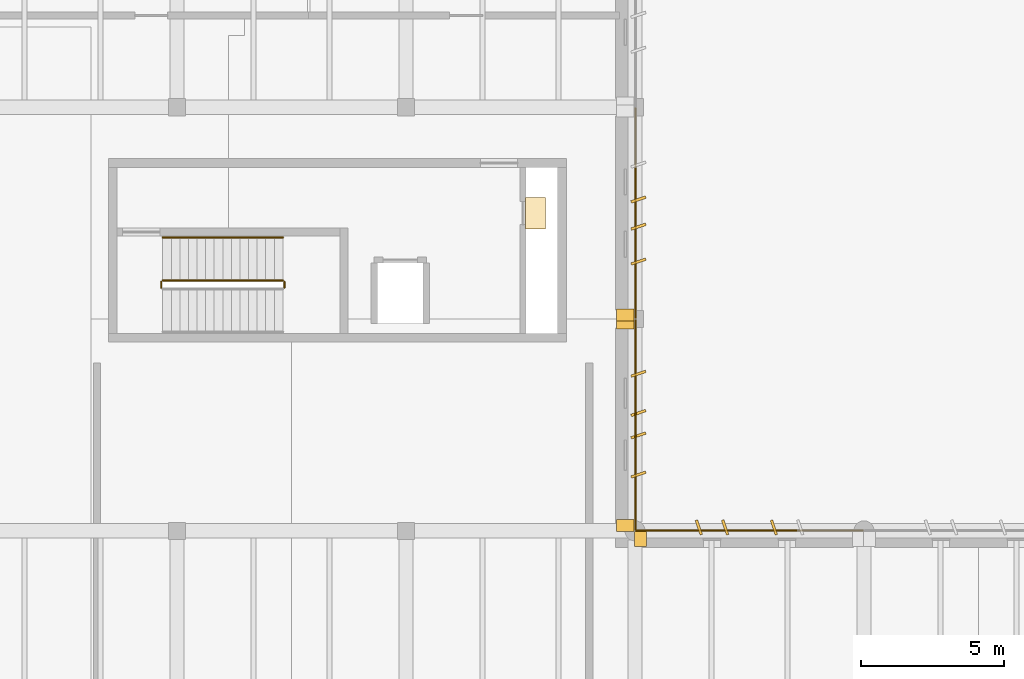
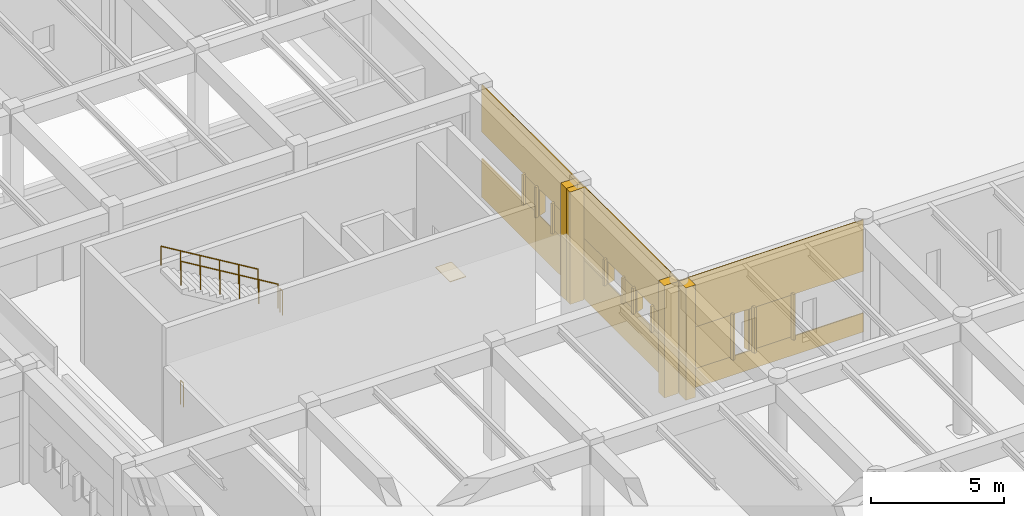
# One storey, part 44 of 56: 28 coverings, 4 railings.
"""IFC4 building model written with IfcOpenShell, lengths in metres."""

from ifc_helpers import new_model, si_unit, direction, frame, frame_2d, origin, origin_2d, place, context, subcontext, project, spatial, polyline, rectangle, circle, outline, extrude, material, layer, layer_set, type_object, element, save


model = new_model("IFC4")

# Units and contexts
model_context = context("Model", 3, precision=1e-05, world=origin(), true_north=direction((0.0, 1.0)))
body_context = subcontext(model_context, "Body", "Model", "MODEL_VIEW")
ifc_project = project(units=[si_unit("LENGTHUNIT", "METRE"), si_unit("AREAUNIT", "SQUARE_METRE"), si_unit("VOLUMEUNIT", "CUBIC_METRE"), si_unit("PLANEANGLEUNIT", "RADIAN"), si_unit("MASSUNIT", "GRAM", prefix="KILO")], contexts=[model_context])

# Site, building, storey
site_placement = place(None, origin())
site = spatial("IfcSite", under=ifc_project, at=site_placement, CompositionType="ELEMENT")
building_placement = place(site_placement, origin())
building = spatial("IfcBuilding", under=site, at=building_placement, Name="Valkorina Park Police Headquarters", CompositionType="ELEMENT")
storey_placement = place(building_placement, origin())
storey = spatial("IfcBuildingStorey", under=building, at=storey_placement, Name="L01", CompositionType="ELEMENT", Elevation=0.0)

# Coverings
ifc_material_1 = material(Name="Precast concrete C40/50", Category="concrete")
ifc_layer_1 = layer(ifc_material_1, 0.044921875)
ifc_layer_set_1 = layer_set([ifc_layer_1], Name="Precast concrete C40/50")
covering_type_1 = type_object("IfcCoveringType", Name="COV-CLAD-DOLOMITE", PredefinedType="CLADDING", material=ifc_layer_set_1)
covering_1_placement = place(storey_placement, frame((56.4599609375, 88.93994140625, 0.0), z_axis=(0.0, 0.0, 1.0), x_axis=(0.0, 1.0, 0.0)))
element("IfcCovering", 1, at=covering_1_placement, inside=storey, type_object=covering_type_1, Name="L01 Exterior Joint Closure Pilaster B 0300", PredefinedType="CLADDING", context=body_context, shape_type="SweptSolid", body=[
    extrude(rectangle(XDim=0.419921875, YDim=0.612060546875, at=origin_2d()), origin(), (0.0, 0.0, 1.0), 5.139892578125),
])
for number, where, z_axis, x_axis, name in (
    (2, (56.919921875, 92.974853515625, 1.68017578125), (0.0, 0.0, 1.0), (0.948323655206, 0.317304656405, 0.0), "Slanted 18.5-deg Precast Window Slot Fin 0302"),
    (3, (56.919921875, 92.025146484375, 1.68017578125), (0.0, 0.0, 1.0), (0.948323655206, 0.317304656405, 0.0), "Slanted 18.5-deg Precast Window Slot Fin 0303"),
    (4, (56.919921875, 90.80517578125, 1.68017578125), (0.0, 0.0, 1.0), (0.948323655206, 0.317304656405, 0.0), "Slanted 18.5-deg Precast Window Slot Fin 0304"),
):
    element("IfcCovering", number, at=place(storey_placement, frame(where, z_axis=z_axis, x_axis=x_axis)), inside=storey, type_object=covering_type_1, Name=name, PredefinedType="CLADDING", context=body_context, shape_type="SweptSolid", body=[
        extrude(rectangle(XDim=0.5400390625, YDim=0.090087890625, at=origin_2d()), origin(), (0.0, 0.0, 1.0), 1.389892578125),
    ])
covering_2_placement = place(storey_placement, frame((56.81494140625, 96.179931640625, 0.0), z_axis=(0.0, 0.0, 1.0), x_axis=(0.0, -1.0, 0.0)))
element("IfcCovering", 5, at=covering_2_placement, inside=storey, type_object=covering_type_1, Name="L01 Calm Concrete Base Sill Spandrel 0305", PredefinedType="CLADDING", context=body_context, shape_type="SweptSolid", body=[
    extrude(rectangle(XDim=7.35986328125, YDim=0.044921875, at=frame_2d((3.679931640625, 0.0))), origin(), (0.0, 0.0, 1.0), 1.77001953125),
])
covering_3_placement = place(storey_placement, frame((56.81494140625, 96.179931640625, 2.97998046875), z_axis=(0.0, 0.0, 1.0), x_axis=(0.0, -1.0, 0.0)))
element("IfcCovering", 6, at=covering_3_placement, inside=storey, type_object=covering_type_1, Name="L01 Calm Concrete Base Lintel Spandrel 0306", PredefinedType="CLADDING", context=body_context, shape_type="SweptSolid", body=[
    extrude(rectangle(XDim=7.35986328125, YDim=0.044921875, at=frame_2d((3.679931640625, 0.0))), origin(), (0.0, 0.0, 1.0), 2.159912109375),
])
covering_4_placement = place(storey_placement, frame((56.81494140625, 93.084716796875, 1.77001953125), z_axis=(0.0, 0.0, 1.0), x_axis=(0.0, -1.0, 0.0)))
element("IfcCovering", 7, at=covering_4_placement, inside=storey, type_object=covering_type_1, Name="L01 Calm Concrete Base Slot Pier 0308", PredefinedType="CLADDING", context=body_context, shape_type="SweptSolid", body=[
    extrude(rectangle(XDim=1.16943359375, YDim=0.044921875, at=frame_2d((0.584716796875, 0.0))), origin(), (0.0, 0.0, 1.0), 1.2099609375),
])
covering_5_placement = place(storey_placement, frame((56.81494140625, 90.915283203125, 1.77001953125), z_axis=(0.0, 0.0, 1.0), x_axis=(0.0, -1.0, 0.0)))
element("IfcCovering", 8, at=covering_5_placement, inside=storey, type_object=covering_type_1, Name="L01 Calm Concrete Base Slot Pier 0309", PredefinedType="CLADDING", context=body_context, shape_type="SweptSolid", body=[
    extrude(rectangle(XDim=2.09521484375, YDim=0.044921875, at=frame_2d((1.047607421875, 0.0))), origin(), (0.0, 0.0, 1.0), 1.2099609375),
])
for number, where, z_axis, x_axis, name in (
    (9, (56.4599609375, 88.659912109375, 0.0), (0.0, 0.0, 1.0), (0.0, 1.0, 0.0), "L01 Exterior Joint Closure Pilaster A 0310"),
    (10, (56.4599609375, 81.590087890625, 0.0), (0.0, 0.0, 1.0), (0.0, 1.0, 0.0), "L01 Exterior Joint Closure Pilaster B 0311"),
):
    element("IfcCovering", number, at=place(storey_placement, frame(where, z_axis=z_axis, x_axis=x_axis)), inside=storey, type_object=covering_type_1, Name=name, PredefinedType="CLADDING", context=body_context, shape_type="SweptSolid", body=[
        extrude(rectangle(XDim=0.419921875, YDim=0.612060546875, at=origin_2d()), origin(), (0.0, 0.0, 1.0), 5.139892578125),
    ])
for number, where, z_axis, x_axis, name in (
    (11, (56.919921875, 86.88671875, 1.679931640625), (0.0, 0.0, 1.0), (0.948323655206, 0.317304656405, 0.0), "Slanted 18.5-deg Precast Window Slot Fin 0312"),
    (12, (56.919921875, 85.516845703125, 1.679931640625), (0.0, 0.0, 1.0), (0.948323655206, 0.317304656405, 0.0), "Slanted 18.5-deg Precast Window Slot Fin 0313"),
    (13, (56.919921875, 84.733154296875, 1.679931640625), (0.0, 0.0, 1.0), (0.948323655206, 0.317304656405, 0.0), "Slanted 18.5-deg Precast Window Slot Fin 0314"),
    (14, (56.919921875, 83.36328125, 1.679931640625), (0.0, 0.0, 1.0), (0.948323655206, 0.317304656405, 0.0), "Slanted 18.5-deg Precast Window Slot Fin 0315"),
):
    element("IfcCovering", number, at=place(storey_placement, frame(where, z_axis=z_axis, x_axis=x_axis)), inside=storey, type_object=covering_type_1, Name=name, PredefinedType="CLADDING", context=body_context, shape_type="SweptSolid", body=[
        extrude(rectangle(XDim=0.5400390625, YDim=0.090087890625, at=origin_2d()), origin(), (0.0, 0.0, 1.0), 1.18994140625),
    ])
covering_6_placement = place(storey_placement, frame((56.81494140625, 88.780029296875, 0.0), z_axis=(0.0, 0.0, 1.0), x_axis=(0.0, -1.0, 0.0)))
element("IfcCovering", 15, at=covering_6_placement, inside=storey, type_object=covering_type_1, Name="L01 Calm Concrete Base Sill Spandrel 0316", PredefinedType="CLADDING", context=body_context, shape_type="SweptSolid", body=[
    extrude(rectangle(XDim=7.360107421875, YDim=0.044921875, at=frame_2d((3.68017578125, 0.0))), origin(), (0.0, 0.0, 1.0), 1.77001953125),
])
covering_7_placement = place(storey_placement, frame((56.81494140625, 88.780029296875, 2.780029296875), z_axis=(0.0, 0.0, 1.0), x_axis=(0.0, -1.0, 0.0)))
element("IfcCovering", 16, at=covering_7_placement, inside=storey, type_object=covering_type_1, Name="L01 Calm Concrete Base Lintel Spandrel 0317", PredefinedType="CLADDING", context=body_context, shape_type="SweptSolid", body=[
    extrude(rectangle(XDim=7.360107421875, YDim=0.044921875, at=frame_2d((3.68017578125, 0.0))), origin(), (0.0, 0.0, 1.0), 2.35986328125),
])
covering_8_placement = place(storey_placement, frame((56.81494140625, 88.780029296875, 1.77001953125), z_axis=(0.0, 0.0, 1.0), x_axis=(0.0, -1.0, 0.0)))
element("IfcCovering", 17, at=covering_8_placement, inside=storey, type_object=covering_type_1, Name="L01 Calm Concrete Base Slot Pier 0318", PredefinedType="CLADDING", context=body_context, shape_type="SweptSolid", body=[
    extrude(rectangle(XDim=2.003173828125, YDim=0.044921875, at=frame_2d((1.00146484375, 0.0))), origin(), (0.0, 0.0, 1.0), 1.010009765625),
])
covering_9_placement = place(storey_placement, frame((56.81494140625, 85.626708984375, 1.77001953125), z_axis=(0.0, 0.0, 1.0), x_axis=(0.0, -1.0, 0.0)))
element("IfcCovering", 18, at=covering_9_placement, inside=storey, type_object=covering_type_1, Name="L01 Calm Concrete Base Slot Pier 0319", PredefinedType="CLADDING", context=body_context, shape_type="SweptSolid", body=[
    extrude(rectangle(XDim=1.00341796875, YDim=0.044921875, at=frame_2d((0.501708984375, 0.0))), origin(), (0.0, 0.0, 1.0), 1.010009765625),
])
covering_10_placement = place(storey_placement, frame((56.81494140625, 83.47314453125, 1.77001953125), z_axis=(0.0, 0.0, 1.0), x_axis=(0.0, -1.0, 0.0)))
element("IfcCovering", 19, at=covering_10_placement, inside=storey, type_object=covering_type_1, Name="L01 Calm Concrete Base Slot Pier 0320", PredefinedType="CLADDING", context=body_context, shape_type="SweptSolid", body=[
    extrude(rectangle(XDim=2.05322265625, YDim=0.044921875, at=frame_2d((1.026611328125, 0.0))), origin(), (0.0, 0.0, 1.0), 1.010009765625),
])
covering_11_placement = place(storey_placement, frame((56.989990234375, 81.110107421875, 0.0), z_axis=(0.0, 0.0, 1.0), x_axis=(1.0, 0.0, 0.0)))
element("IfcCovering", 20, at=covering_11_placement, inside=storey, type_object=covering_type_1, Name="L01 Exterior Joint Closure Pilaster A 0321", PredefinedType="CLADDING", context=body_context, shape_type="SweptSolid", body=[
    extrude(rectangle(XDim=0.419921875, YDim=0.52197265625, at=origin_2d()), origin(), (0.0, 0.0, 1.0), 5.139892578125),
])
for number, where, z_axis, x_axis, name in (
    (21, (59.029541015625, 81.52001953125, 0.77978515625), (0.0, 0.0, 1.0), (-0.317304656405, 0.948323655206, 0.0), "Slanted 18.5-deg Precast Window Slot Fin 0323"),
    (22, (59.94970703125, 81.52001953125, 0.77978515625), (0.0, 0.0, 1.0), (-0.317304656405, 0.948323655206, 0.0), "Slanted 18.5-deg Precast Window Slot Fin 0324"),
    (23, (61.650390625, 81.52001953125, 0.77978515625), (0.0, 0.0, 1.0), (-0.317304656405, 0.948323655206, 0.0), "Slanted 18.5-deg Precast Window Slot Fin 0325"),
):
    element("IfcCovering", number, at=place(storey_placement, frame(where, z_axis=z_axis, x_axis=x_axis)), inside=storey, type_object=covering_type_1, Name=name, PredefinedType="CLADDING", context=body_context, shape_type="SweptSolid", body=[
        extrude(rectangle(XDim=0.5400390625, YDim=0.090087890625, at=origin_2d()), origin(), (0.0, 0.0, 1.0), 2.090087890625),
    ])
covering_12_placement = place(storey_placement, frame((56.820068359375, 81.4150390625, 0.0), z_axis=(0.0, 0.0, 1.0), x_axis=(1.0, 0.0, 0.0)))
element("IfcCovering", 24, at=covering_12_placement, inside=storey, type_object=covering_type_1, Name="L01 Calm Concrete Base Sill Spandrel 0327", PredefinedType="CLADDING", context=body_context, shape_type="SweptSolid", body=[
    extrude(rectangle(XDim=7.9599609375, YDim=0.044921875, at=frame_2d((3.97998046875, 0.0))), origin(), (0.0, 0.0, 1.0), 0.8701171875),
])
covering_13_placement = place(storey_placement, frame((56.820068359375, 81.4150390625, 2.780029296875), z_axis=(0.0, 0.0, 1.0), x_axis=(1.0, 0.0, 0.0)))
element("IfcCovering", 25, at=covering_13_placement, inside=storey, type_object=covering_type_1, Name="L01 Calm Concrete Base Lintel Spandrel 0328", PredefinedType="CLADDING", context=body_context, shape_type="SweptSolid", body=[
    extrude(rectangle(XDim=7.9599609375, YDim=0.044921875, at=frame_2d((3.97998046875, 0.0))), origin(), (0.0, 0.0, 1.0), 2.35986328125),
])
covering_14_placement = place(storey_placement, frame((56.820068359375, 81.4150390625, 0.8701171875), z_axis=(0.0, 0.0, 1.0), x_axis=(1.0, 0.0, 0.0)))
element("IfcCovering", 26, at=covering_14_placement, inside=storey, type_object=covering_type_1, Name="L01 Calm Concrete Base Slot Pier 0329", PredefinedType="CLADDING", context=body_context, shape_type="SweptSolid", body=[
    extrude(rectangle(XDim=2.319580078125, YDim=0.044921875, at=frame_2d((1.15966796875, 0.0))), origin(), (0.0, 0.0, 1.0), 1.909912109375),
])
covering_15_placement = place(storey_placement, frame((59.839599609375, 81.4150390625, 0.8701171875), z_axis=(0.0, 0.0, 1.0), x_axis=(1.0, 0.0, 0.0)))
element("IfcCovering", 27, at=covering_15_placement, inside=storey, type_object=covering_type_1, Name="L01 Calm Concrete Base Slot Pier 0330", PredefinedType="CLADDING", context=body_context, shape_type="SweptSolid", body=[
    extrude(rectangle(XDim=1.9208984375, YDim=0.044921875, at=frame_2d((0.96044921875, 0.0))), origin(), (0.0, 0.0, 1.0), 1.909912109375),
])
ifc_material_2 = material(Name="Resin terrazzo flooring")
ifc_layer_2 = layer(ifc_material_2, 0.030029296875)
ifc_layer_set_2 = layer_set([ifc_layer_2], Name="Resin terrazzo flooring")
covering_type_2 = type_object("IfcCoveringType", Name="COV-FLOOR-TERRAZZO", PredefinedType="FLOORING", material=ifc_layer_set_2)
covering_16_placement = place(storey_placement, origin())
element("IfcCovering", 28, at=covering_16_placement, inside=storey, type_object=covering_type_2, Name="Core C4 L01 Riser Inspection Threshold Grate", PredefinedType="FLOORING", context=body_context, shape_type="SweptSolid", body=[
    extrude(outline(polyline([(53.679931640625, 91.949951171875), (53.679931640625, 93.050048828125), (52.97998046875, 93.050048828125), (52.97998046875, 91.949951171875), (53.679931640625, 91.949951171875)])), origin(), (0.0, 0.0, 1.0), 0.030029296875),
])

# Railings
ifc_material_3 = material(Name="Stainless steel EN 1.4404", Category="steel")
railing_type_1 = type_object("IfcRailingType", Name="RL-GUARD-INT-1100", PredefinedType="BALUSTRADE", material=ifc_material_3)
railing_1_placement = place(storey_placement, frame((44.550048828125, 89.89990234375, 2.699951171875)))
element("IfcRailing", 29, at=railing_1_placement, inside=storey, type_object=railing_type_1, Name="L01 Core C4 Stair Guard 2", PredefinedType="BALUSTRADE", context=body_context, shape_type="SweptSolid", body=[
    extrude(circle(Radius=0.02392578125, at=origin_2d()), frame((0.0, 0.0, 1.09619140625), z_axis=(0.0, 1.0, 0.0), x_axis=(-1.0, 0.0, 0.0)), (0.0, 0.0, 1.0), 0.2001953125),
    extrude(circle(Radius=0.02099609375, at=origin_2d()), origin(), (0.0, 0.0, 1.0), 1.072021484375),
    extrude(circle(Radius=0.02099609375, at=origin_2d()), frame((0.0, 0.2001953125, 0.0)), (0.0, 0.0, 1.0), 1.072021484375),
])
railing_2_placement = place(storey_placement, frame((44.5, 90.14990234375, 2.8798828125)))
element("IfcRailing", 30, at=railing_2_placement, inside=storey, type_object=railing_type_1, Name="L01 Core C4 Stair Guard 3", PredefinedType="BALUSTRADE", context=body_context, shape_type="SweptSolid", body=[
    extrude(circle(Radius=0.02392578125, at=origin_2d()), frame((0.0, 0.0, 1.09619140625), z_axis=(-0.857488527567, 0.0, 0.514503085598), x_axis=(0.0, -1.0, 0.0)), (0.0, 0.0, 1.0), 4.89794921875),
    extrude(circle(Radius=0.02099609375, at=origin_2d()), origin(), (0.0, 0.0, 1.0), 1.072021484375),
    extrude(circle(Radius=0.02099609375, at=origin_2d()), frame((-0.840087890625, 0.0, 0.50390625)), (0.0, 0.0, 1.0), 1.072021484375),
    extrude(circle(Radius=0.02099609375, at=origin_2d()), frame((-1.679931640625, 0.0, 1.008056640625)), (0.0, 0.0, 1.0), 1.072021484375),
    extrude(circle(Radius=0.02099609375, at=origin_2d()), frame((-2.52001953125, 0.0, 1.511962890625)), (0.0, 0.0, 1.0), 1.072021484375),
    extrude(circle(Radius=0.02099609375, at=origin_2d()), frame((-3.35986328125, 0.0, 2.01611328125)), (0.0, 0.0, 1.0), 1.072021484375),
    extrude(circle(Radius=0.02099609375, at=origin_2d()), frame((-4.199951171875, 0.0, 2.52001953125)), (0.0, 0.0, 1.0), 1.072021484375),
])
railing_3_placement = place(storey_placement, frame((40.25, 89.89990234375, 0.0)))
element("IfcRailing", 31, at=railing_3_placement, inside=storey, type_object=railing_type_1, Name="L01 Core C4 Stair Guard 4", PredefinedType="BALUSTRADE", context=body_context, shape_type="SweptSolid", body=[
    extrude(circle(Radius=0.02392578125, at=origin_2d()), frame((0.0, 0.0, 1.09619140625), z_axis=(0.0, 1.0, 0.0), x_axis=(-1.0, 0.0, 0.0)), (0.0, 0.0, 1.0), 0.2001953125),
    extrude(circle(Radius=0.02099609375, at=origin_2d()), origin(), (0.0, 0.0, 1.0), 1.072021484375),
    extrude(circle(Radius=0.02099609375, at=origin_2d()), frame((0.0, 0.2001953125, 0.0)), (0.0, 0.0, 1.0), 1.072021484375),
])
railing_type_2 = type_object("IfcRailingType", Name="RL-HANDRAIL-900", PredefinedType="HANDRAIL", material=ifc_material_3)
railing_4_placement = place(storey_placement, frame((44.5, 91.64990234375, 2.8798828125)))
element("IfcRailing", 32, at=railing_4_placement, inside=storey, type_object=railing_type_2, Name="L01 Core C4 Stair Handrail 2", PredefinedType="HANDRAIL", context=body_context, shape_type="SweptSolid", body=[
    extrude(circle(Radius=0.02392578125, at=origin_2d()), frame((0.0, 0.0, 0.8759765625), z_axis=(-0.857488527567, 0.0, 0.514503085598), x_axis=(0.0, -1.0, 0.0)), (0.0, 0.0, 1.0), 4.89794921875),
    extrude(circle(Radius=0.02099609375, at=origin_2d()), origin(), (0.0, 0.0, 1.0), 0.851806640625),
    extrude(circle(Radius=0.02099609375, at=origin_2d()), frame((-0.840087890625, 0.0, 0.50390625)), (0.0, 0.0, 1.0), 0.851806640625),
    extrude(circle(Radius=0.02099609375, at=origin_2d()), frame((-1.679931640625, 0.0, 1.008056640625)), (0.0, 0.0, 1.0), 0.851806640625),
    extrude(circle(Radius=0.02099609375, at=origin_2d()), frame((-2.52001953125, 0.0, 1.511962890625)), (0.0, 0.0, 1.0), 0.851806640625),
    extrude(circle(Radius=0.02099609375, at=origin_2d()), frame((-3.35986328125, 0.0, 2.01611328125)), (0.0, 0.0, 1.0), 0.851806640625),
    extrude(circle(Radius=0.02099609375, at=origin_2d()), frame((-4.199951171875, 0.0, 2.52001953125)), (0.0, 0.0, 1.0), 0.851806640625),
])

save(model, "model.ifc")
